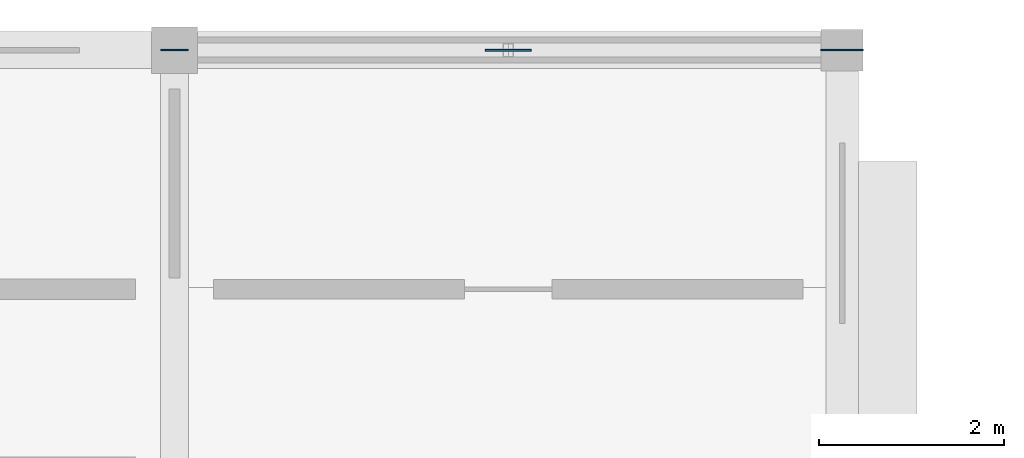
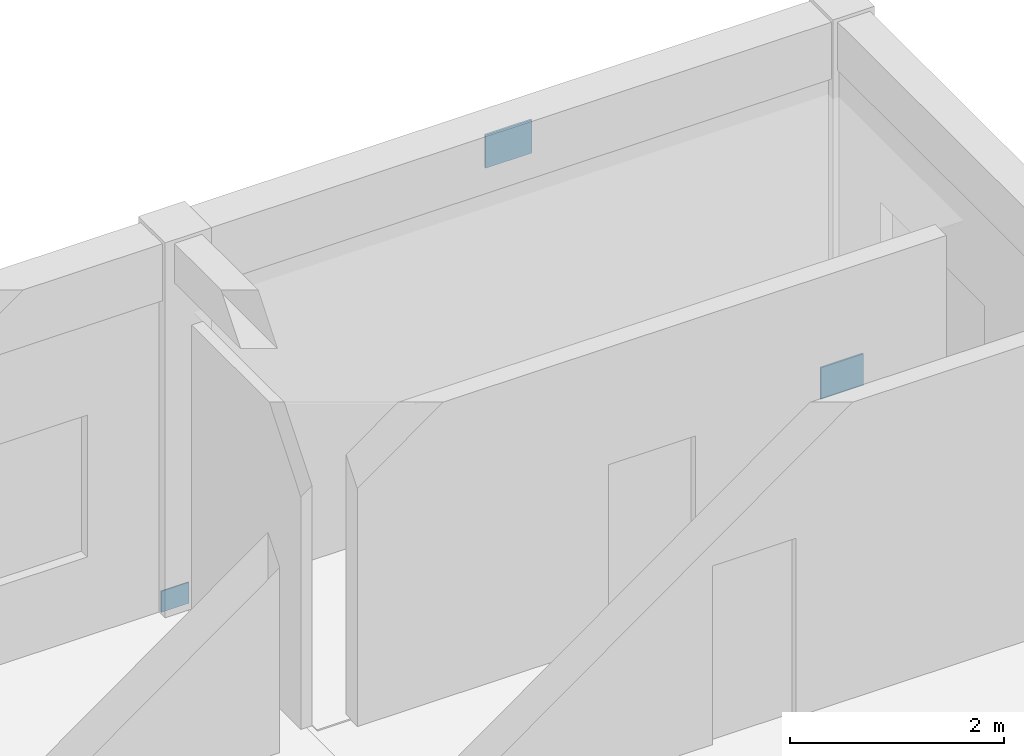
# One storey, part 64 of 91: 3 plates.
"""IFC4 building model written with IfcOpenShell, lengths in metres."""

from ifc_helpers import new_model, si_unit, direction, frame, origin, origin_2d, place, context, subcontext, project, spatial, rectangle, extrude, material, layer, layer_set, type_object, element, save


model = new_model("IFC4")

# Units and contexts
model_context = context("Model", 3, precision=1e-05, world=origin(), true_north=direction((0.0, 1.0)))
body_context = subcontext(model_context, "Body", "Model", "MODEL_VIEW")
ifc_project = project(units=[si_unit("LENGTHUNIT", "METRE"), si_unit("AREAUNIT", "SQUARE_METRE"), si_unit("VOLUMEUNIT", "CUBIC_METRE"), si_unit("PLANEANGLEUNIT", "RADIAN"), si_unit("MASSUNIT", "GRAM", prefix="KILO")], contexts=[model_context])

# Site, building, storey
site_placement = place(None, origin())
site = spatial("IfcSite", under=ifc_project, at=site_placement, CompositionType="ELEMENT")
building_placement = place(site_placement, origin())
building = spatial("IfcBuilding", under=site, at=building_placement, Name="Aldebral Square Health Centre", CompositionType="ELEMENT")
storey_placement = place(building_placement, frame((0.0, 0.0, 9.0)))
storey = spatial("IfcBuildingStorey", under=building, at=storey_placement, Name="L02", CompositionType="ELEMENT", Elevation=9.0)

# Plates
ifc_material = material(Name="Steel S355JR", Category="steel")
ifc_layer_1 = layer(ifc_material, 0.013916015625, Name="Steel S355JR", Category="steel")
ifc_layer_set_1 = layer_set([ifc_layer_1], Name="Steel S355JR")
plate_type_1 = type_object("IfcPlateType", Name="PL-GUS-4", PredefinedType="USERDEFINED", material=ifc_layer_set_1)
plate_1_placement = place(storey_placement, frame((57.60009765625, 115.199951171875, -0.1201171875), z_axis=(0.0, 0.0, 1.0), x_axis=(1.0, 0.0, 0.0)))
element("IfcPlate", 1, at=plate_1_placement, inside=storey, type_object=plate_type_1, Name="L02 north chevron brace 9 west base gusset plate", ObjectType="GUSSET_PLATE", PredefinedType="USERDEFINED", context=body_context, shape_type="SweptSolid", body=[
    extrude(rectangle(XDim=0.300048828125, YDim=0.013916015625, at=origin_2d()), origin(), (0.0, 0.0, 1.0), 0.239990234375),
])
ifc_layer_2 = layer(ifc_material, 0.01806640625, Name="Steel S355JR", Category="steel")
ifc_layer_set_2 = layer_set([ifc_layer_2], Name="Steel S355JR")
plate_type_2 = type_object("IfcPlateType", Name="PL-GUS-5", PredefinedType="USERDEFINED", material=ifc_layer_set_2)
plate_2_placement = place(storey_placement, frame((64.800048828125, 115.199951171875, -0.18017578125), z_axis=(0.0, 0.0, 1.0), x_axis=(1.0, 0.0, 0.0)))
element("IfcPlate", 2, at=plate_2_placement, inside=storey, type_object=plate_type_2, Name="L02 north chevron brace 9 east base gusset plate", ObjectType="GUSSET_PLATE", PredefinedType="USERDEFINED", context=body_context, shape_type="SweptSolid", body=[
    extrude(rectangle(XDim=0.4599609375, YDim=0.01806640625, at=origin_2d()), origin(), (0.0, 0.0, 1.0), 0.360107421875),
])
ifc_layer_3 = layer(ifc_material, 0.02001953125, Name="Steel S355JR", Category="steel")
ifc_layer_set_3 = layer_set([ifc_layer_3], Name="Steel S355JR")
plate_type_3 = type_object("IfcPlateType", Name="PL-GUS-6", PredefinedType="USERDEFINED", material=ifc_layer_set_3)
plate_3_placement = place(storey_placement, frame((61.199951171875, 115.199951171875, 3.72509765625), z_axis=(0.0, 0.0, 1.0), x_axis=(1.0, 0.0, 0.0)))
element("IfcPlate", 3, at=plate_3_placement, inside=storey, type_object=plate_type_3, Name="L02 north chevron brace 9 apex gusset plate", ObjectType="GUSSET_PLATE", PredefinedType="USERDEFINED", context=body_context, shape_type="SweptSolid", body=[
    extrude(rectangle(XDim=0.5, YDim=0.02001953125, at=origin_2d()), origin(), (0.0, 0.0, 1.0), 0.3798828125),
])

save(model, "model.ifc")
